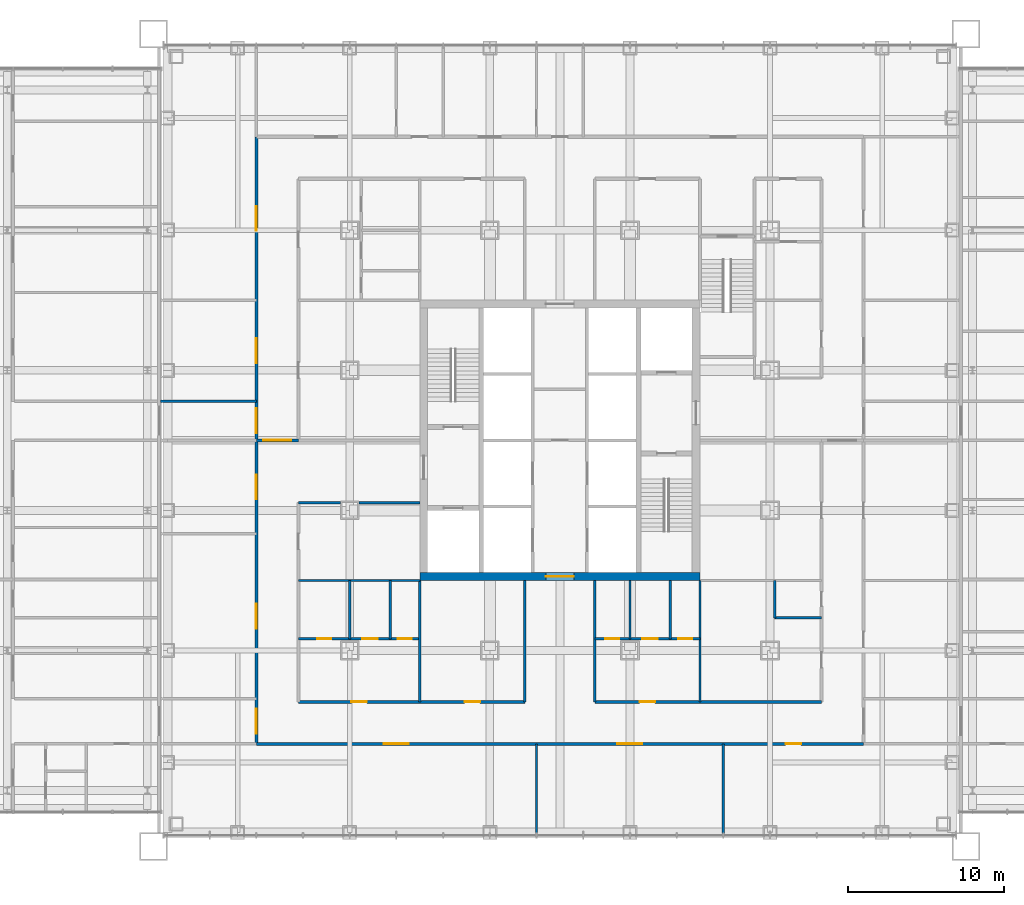
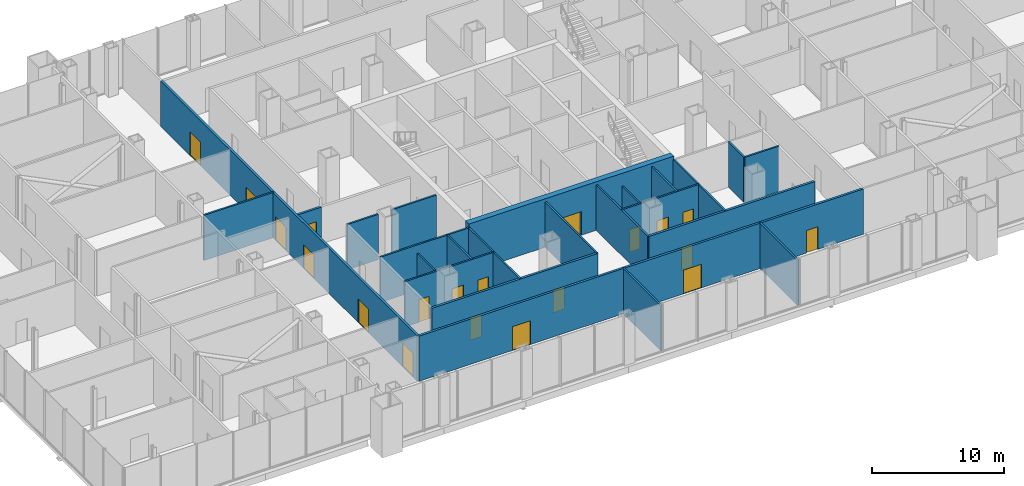
# One storey, part 16 of 25: 24 walls, 20 doors, 20 openings.
"""IFC4 building model written with IfcOpenShell, lengths in metres."""

from ifc_helpers import new_model, si_unit, direction, frame, frame_2d, origin, place, context, subcontext, project, spatial, rectangle, extrude, material, layer, layer_set, type_object, element, fill, save


model = new_model("IFC4")

# Units and contexts
model_context = context("Model", 3, precision=1e-05, world=origin(), true_north=direction((0.0, 1.0)))
body_context = subcontext(model_context, "Body", "Model", "MODEL_VIEW")
ifc_project = project(units=[si_unit("LENGTHUNIT", "METRE"), si_unit("AREAUNIT", "SQUARE_METRE"), si_unit("VOLUMEUNIT", "CUBIC_METRE"), si_unit("PLANEANGLEUNIT", "RADIAN"), si_unit("MASSUNIT", "GRAM", prefix="KILO")], contexts=[model_context])

# Site, building, storey
site_placement = place(None, origin())
site = spatial("IfcSite", under=ifc_project, at=site_placement, CompositionType="ELEMENT")
building_placement = place(site_placement, origin())
building = spatial("IfcBuilding", under=site, at=building_placement, Name="Malebo Sky Hospital", CompositionType="ELEMENT")
storey_placement = place(building_placement, frame((0.0, 0.0, 16.5)))
storey = spatial("IfcBuildingStorey", under=building, at=storey_placement, Name="L03", CompositionType="ELEMENT", Elevation=16.5)

# Wall, opening, door
ifc_material_1 = material(Name="Concrete C80/95", Category="concrete")
ifc_layer_1 = layer(ifc_material_1, 0.5)
ifc_layer_set_1 = layer_set([ifc_layer_1], Name="CORE WALL 500")
wall_type_1 = type_object("IfcWallType", Name="CORE WALL 500", PredefinedType="SHEAR", material=ifc_layer_set_1)
wall_1_placement = place(storey_placement, frame((51.0, 53.25, 0.0), z_axis=(0.0, 0.0, 1.0), x_axis=(1.0, 0.0, 0.0)))
wall_1 = element("IfcWall", 1, at=wall_1_placement, inside=storey, type_object=wall_type_1, Name="Core wall S L03", PredefinedType="SHEAR", context=body_context, shape_type="SweptSolid", body=[
    extrude(rectangle(XDim=18.0, YDim=0.5, at=frame_2d((9.0, 0.0))), origin(), (0.0, 0.0, 1.0), 4.5),
])
opening_1_placement = place(wall_1_placement, frame((8.10009765625, 0.0, 0.0)))
opening_1 = element("IfcOpeningElement", 2, at=opening_1_placement, cuts=wall_1, Name="Opening D06", PredefinedType="OPENING", context=body_context, shape_type="SweptSolid", body=[
    extrude(rectangle(XDim=1.800048828125, YDim=2.199951171875, at=frame_2d((0.89990234375, 1.10009765625))), frame((0.0, 0.260009765625, 0.0), z_axis=(0.0, -1.0, 0.0), x_axis=(1.0, 0.0, 0.0)), (0.0, 0.0, 1.0), 0.52001953125),
])
ifc_material_2 = material(Name="Hardwood-faced door leaf in steel frame", Category="steel")
door_type_1 = type_object("IfcDoorType", Name="LOBBY DOOR PAIR 1800", OperationType="DOUBLE_DOOR_SINGLE_SWING", PredefinedType="DOOR", material=ifc_material_2)
door_1_placement = place(opening_1_placement, origin())
door_1 = element("IfcDoor", 3, at=door_1_placement, inside=storey, type_object=door_type_1, Name="Lift lobby door south", OperationType="DOUBLE_DOOR_SINGLE_SWING", OverallHeight=2.199951171875, OverallWidth=1.800048828125, PredefinedType="DOOR", context=body_context, shape_type="SweptSolid", body=[
    extrude(rectangle(XDim=1.800048828125, YDim=2.199951171875, at=frame_2d((0.89990234375, 1.10009765625))), frame((0.0, 0.02490234375, 0.0), z_axis=(0.0, -1.0, 0.0), x_axis=(1.0, 0.0, 0.0)), (0.0, 0.0, 1.0), 0.050048828125),
])
fill(opening_1, door_1)

# Wall, openings, doors
ifc_material_3 = material(Name="Gypsum board on steel studs", Category="steel")
ifc_layer_2 = layer(ifc_material_3, 0.199951171875)
ifc_layer_set_2 = layer_set([ifc_layer_2], Name="CORRIDOR WALL 200")
wall_type_2 = type_object("IfcWallType", Name="CORRIDOR WALL 200", PredefinedType="PARTITIONING", material=ifc_layer_set_2)
wall_2_placement = place(storey_placement, frame((40.5, 42.5, 0.0), z_axis=(0.0, 0.0, 1.0), x_axis=(0.0, 1.0, 0.0)))
wall_2 = element("IfcWall", 4, at=wall_2_placement, inside=storey, type_object=wall_type_2, Name="Corridor Wall 200 WCO", PredefinedType="PARTITIONING", context=body_context, shape_type="SweptSolid", body=[
    extrude(rectangle(XDim=39.0, YDim=0.199951171875, at=frame_2d((19.5, 0.0))), origin(), (0.0, 0.0, 1.0), 4.199951171875),
])
opening_2_placement = place(wall_2_placement, frame((0.64990234375, 0.0, 0.0)))
opening_2 = element("IfcOpeningElement", 5, at=opening_2_placement, cuts=wall_2, Name="Opening D14", PredefinedType="OPENING", context=body_context, shape_type="SweptSolid", body=[
    extrude(rectangle(XDim=1.60009765625, YDim=2.199951171875, at=frame_2d((0.800048828125, 1.10009765625))), frame((0.0, 0.10986328125, 0.0), z_axis=(0.0, -1.0, 0.0), x_axis=(1.0, 0.0, 0.0)), (0.0, 0.0, 1.0), 0.219970703125),
])
opening_3_placement = place(wall_2_placement, frame((7.39990234375, 0.0, 0.0)))
opening_3 = element("IfcOpeningElement", 6, at=opening_3_placement, cuts=wall_2, Name="Opening D14", PredefinedType="OPENING", context=body_context, shape_type="SweptSolid", body=[
    extrude(rectangle(XDim=1.60009765625, YDim=2.199951171875, at=frame_2d((0.800048828125, 1.10009765625))), frame((0.0, 0.10986328125, 0.0), z_axis=(0.0, -1.0, 0.0), x_axis=(1.0, 0.0, 0.0)), (0.0, 0.0, 1.0), 0.219970703125),
])
opening_4_placement = place(wall_2_placement, frame((15.699951171875, 0.0, 0.0)))
opening_4 = element("IfcOpeningElement", 7, at=opening_4_placement, cuts=wall_2, Name="Opening D14", PredefinedType="OPENING", context=body_context, shape_type="SweptSolid", body=[
    extrude(rectangle(XDim=1.60009765625, YDim=2.199951171875, at=frame_2d((0.800048828125, 1.10009765625))), frame((0.0, 0.10986328125, 0.0), z_axis=(0.0, -1.0, 0.0), x_axis=(1.0, 0.0, 0.0)), (0.0, 0.0, 1.0), 0.219970703125),
])
opening_5_placement = place(wall_2_placement, frame((19.949951171875, 0.0, 0.0)))
opening_5 = element("IfcOpeningElement", 8, at=opening_5_placement, cuts=wall_2, Name="Opening D14", PredefinedType="OPENING", context=body_context, shape_type="SweptSolid", body=[
    extrude(rectangle(XDim=1.60009765625, YDim=2.199951171875, at=frame_2d((0.800048828125, 1.10009765625))), frame((0.0, 0.10986328125, 0.0), z_axis=(0.0, -1.0, 0.0), x_axis=(1.0, 0.0, 0.0)), (0.0, 0.0, 1.0), 0.219970703125),
])
opening_6_placement = place(wall_2_placement, frame((24.449951171875, 0.0, 0.0)))
opening_6 = element("IfcOpeningElement", 9, at=opening_6_placement, cuts=wall_2, Name="Opening D14", PredefinedType="OPENING", context=body_context, shape_type="SweptSolid", body=[
    extrude(rectangle(XDim=1.60009765625, YDim=2.199951171875, at=frame_2d((0.800048828125, 1.10009765625))), frame((0.0, 0.10986328125, 0.0), z_axis=(0.0, -1.0, 0.0), x_axis=(1.0, 0.0, 0.0)), (0.0, 0.0, 1.0), 0.219970703125),
])
opening_7_placement = place(wall_2_placement, frame((32.949951171875, 0.0, 0.0)))
opening_7 = element("IfcOpeningElement", 10, at=opening_7_placement, cuts=wall_2, Name="Opening D14", PredefinedType="OPENING", context=body_context, shape_type="SweptSolid", body=[
    extrude(rectangle(XDim=1.60009765625, YDim=2.199951171875, at=frame_2d((0.800048828125, 1.10009765625))), frame((0.0, 0.10986328125, 0.0), z_axis=(0.0, -1.0, 0.0), x_axis=(1.0, 0.0, 0.0)), (0.0, 0.0, 1.0), 0.219970703125),
])
door_type_2 = type_object("IfcDoorType", Name="DEPARTMENT DOOR PAIR 1600", OperationType="DOUBLE_DOOR_DOUBLE_SWING", PredefinedType="DOOR", material=ifc_material_2)
door_2_placement = place(opening_2_placement, origin())
door_2 = element("IfcDoor", 11, at=door_2_placement, inside=storey, type_object=door_type_2, Name="Link corridor door pair", OperationType="DOUBLE_DOOR_DOUBLE_SWING", OverallHeight=2.199951171875, OverallWidth=1.60009765625, PredefinedType="DOOR", context=body_context, shape_type="SweptSolid", body=[
    extrude(rectangle(XDim=1.60009765625, YDim=2.199951171875, at=frame_2d((0.800048828125, 1.10009765625))), frame((0.0, 0.02490234375, 0.0), z_axis=(0.0, -1.0, 0.0), x_axis=(1.0, 0.0, 0.0)), (0.0, 0.0, 1.0), 0.050048828125),
])
fill(opening_2, door_2)
door_3_placement = place(opening_3_placement, origin())
door_3 = element("IfcDoor", 12, at=door_3_placement, inside=storey, type_object=door_type_2, Name="Clean trolley store door", OperationType="DOUBLE_DOOR_DOUBLE_SWING", OverallHeight=2.199951171875, OverallWidth=1.60009765625, PredefinedType="DOOR", context=body_context, shape_type="SweptSolid", body=[
    extrude(rectangle(XDim=1.60009765625, YDim=2.199951171875, at=frame_2d((0.800048828125, 1.10009765625))), frame((0.0, 0.02490234375, 0.0), z_axis=(0.0, -1.0, 0.0), x_axis=(1.0, 0.0, 0.0)), (0.0, 0.0, 1.0), 0.050048828125),
])
fill(opening_3, door_3)
door_4_placement = place(opening_4_placement, origin())
door_4 = element("IfcDoor", 13, at=door_4_placement, inside=storey, type_object=door_type_2, Name="Sterile services reception door", OperationType="DOUBLE_DOOR_DOUBLE_SWING", OverallHeight=2.199951171875, OverallWidth=1.60009765625, PredefinedType="DOOR", context=body_context, shape_type="SweptSolid", body=[
    extrude(rectangle(XDim=1.60009765625, YDim=2.199951171875, at=frame_2d((0.800048828125, 1.10009765625))), frame((0.0, 0.02490234375, 0.0), z_axis=(0.0, -1.0, 0.0), x_axis=(1.0, 0.0, 0.0)), (0.0, 0.0, 1.0), 0.050048828125),
])
fill(opening_4, door_4)
door_5_placement = place(opening_5_placement, origin())
door_5 = element("IfcDoor", 14, at=door_5_placement, inside=storey, type_object=door_type_2, Name="Link corridor door pair", OperationType="DOUBLE_DOOR_DOUBLE_SWING", OverallHeight=2.199951171875, OverallWidth=1.60009765625, PredefinedType="DOOR", context=body_context, shape_type="SweptSolid", body=[
    extrude(rectangle(XDim=1.60009765625, YDim=2.199951171875, at=frame_2d((0.800048828125, 1.10009765625))), frame((0.0, 0.02490234375, 0.0), z_axis=(0.0, -1.0, 0.0), x_axis=(1.0, 0.0, 0.0)), (0.0, 0.0, 1.0), 0.050048828125),
])
fill(opening_5, door_5)
door_6_placement = place(opening_6_placement, origin())
door_6 = element("IfcDoor", 15, at=door_6_placement, inside=storey, type_object=door_type_2, Name="Endoscopy waiting area door", OperationType="DOUBLE_DOOR_DOUBLE_SWING", OverallHeight=2.199951171875, OverallWidth=1.60009765625, PredefinedType="DOOR", context=body_context, shape_type="SweptSolid", body=[
    extrude(rectangle(XDim=1.60009765625, YDim=2.199951171875, at=frame_2d((0.800048828125, 1.10009765625))), frame((0.0, 0.02490234375, 0.0), z_axis=(0.0, -1.0, 0.0), x_axis=(1.0, 0.0, 0.0)), (0.0, 0.0, 1.0), 0.050048828125),
])
fill(opening_6, door_6)
door_7_placement = place(opening_7_placement, origin())
door_7 = element("IfcDoor", 16, at=door_7_placement, inside=storey, type_object=door_type_2, Name="Endoscopy reception door", OperationType="DOUBLE_DOOR_DOUBLE_SWING", OverallHeight=2.199951171875, OverallWidth=1.60009765625, PredefinedType="DOOR", context=body_context, shape_type="SweptSolid", body=[
    extrude(rectangle(XDim=1.60009765625, YDim=2.199951171875, at=frame_2d((0.800048828125, 1.10009765625))), frame((0.0, 0.02490234375, 0.0), z_axis=(0.0, -1.0, 0.0), x_axis=(1.0, 0.0, 0.0)), (0.0, 0.0, 1.0), 0.050048828125),
])
fill(opening_7, door_7)

wall_3_placement = place(storey_placement, frame((79.5, 42.5, 0.0), z_axis=(0.0, 0.0, 1.0), x_axis=(-1.0, 0.0, 0.0)))
wall_3 = element("IfcWall", 17, at=wall_3_placement, inside=storey, type_object=wall_type_2, Name="Corridor Wall 200 SCO", PredefinedType="PARTITIONING", context=body_context, shape_type="SweptSolid", body=[
    extrude(rectangle(XDim=39.0, YDim=0.199951171875, at=frame_2d((19.5, 0.0))), origin(), (0.0, 0.0, 1.0), 4.199951171875),
])
opening_8_placement = place(wall_3_placement, frame((4.0, 0.0, 0.0)))
opening_8 = element("IfcOpeningElement", 18, at=opening_8_placement, cuts=wall_3, Name="Opening D03", PredefinedType="OPENING", context=body_context, shape_type="SweptSolid", body=[
    extrude(rectangle(XDim=1.0, YDim=2.10009765625, at=frame_2d((0.5, 1.050048828125))), frame((0.0, 0.10986328125, 0.0), z_axis=(0.0, -1.0, 0.0), x_axis=(1.0, 0.0, 0.0)), (0.0, 0.0, 1.0), 0.219970703125),
])
opening_9_placement = place(wall_3_placement, frame((14.199951171875, 0.0, 0.0)))
opening_9 = element("IfcOpeningElement", 19, at=opening_9_placement, cuts=wall_3, Name="Opening D14", PredefinedType="OPENING", context=body_context, shape_type="SweptSolid", body=[
    extrude(rectangle(XDim=1.60009765625, YDim=2.199951171875, at=frame_2d((0.800048828125, 1.10009765625))), frame((0.0, 0.10986328125, 0.0), z_axis=(0.0, -1.0, 0.0), x_axis=(1.0, 0.0, 0.0)), (0.0, 0.0, 1.0), 0.219970703125),
])
opening_10_placement = place(wall_3_placement, frame((29.199951171875, 0.0, 0.0)))
opening_10 = element("IfcOpeningElement", 20, at=opening_10_placement, cuts=wall_3, Name="Opening D14", PredefinedType="OPENING", context=body_context, shape_type="SweptSolid", body=[
    extrude(rectangle(XDim=1.60009765625, YDim=2.199951171875, at=frame_2d((0.800048828125, 1.10009765625))), frame((0.0, 0.10986328125, 0.0), z_axis=(0.0, -1.0, 0.0), x_axis=(1.0, 0.0, 0.0)), (0.0, 0.0, 1.0), 0.219970703125),
])
door_8_placement = place(opening_9_placement, origin())
door_8 = element("IfcDoor", 21, at=door_8_placement, inside=storey, type_object=door_type_2, Name="Endoscopy recovery door", OperationType="DOUBLE_DOOR_DOUBLE_SWING", OverallHeight=2.199951171875, OverallWidth=1.60009765625, PredefinedType="DOOR", context=body_context, shape_type="SweptSolid", body=[
    extrude(rectangle(XDim=1.60009765625, YDim=2.199951171875, at=frame_2d((0.800048828125, 1.10009765625))), frame((0.0, 0.02490234375, 0.0), z_axis=(0.0, -1.0, 0.0), x_axis=(1.0, 0.0, 0.0)), (0.0, 0.0, 1.0), 0.050048828125),
])
fill(opening_9, door_8)
door_9_placement = place(opening_10_placement, origin())
door_9 = element("IfcDoor", 22, at=door_9_placement, inside=storey, type_object=door_type_2, Name="Endoscopy discharge lounge door", OperationType="DOUBLE_DOOR_DOUBLE_SWING", OverallHeight=2.199951171875, OverallWidth=1.60009765625, PredefinedType="DOOR", context=body_context, shape_type="SweptSolid", body=[
    extrude(rectangle(XDim=1.60009765625, YDim=2.199951171875, at=frame_2d((0.800048828125, 1.10009765625))), frame((0.0, 0.02490234375, 0.0), z_axis=(0.0, -1.0, 0.0), x_axis=(1.0, 0.0, 0.0)), (0.0, 0.0, 1.0), 0.050048828125),
])
fill(opening_10, door_9)
door_type_3 = type_object("IfcDoorType", Name="ROOM DOOR 1000", OperationType="SINGLE_SWING_LEFT", PredefinedType="DOOR", material=ifc_material_2)
door_10_placement = place(opening_8_placement, origin())
door_10 = element("IfcDoor", 23, at=door_10_placement, inside=storey, type_object=door_type_3, Name="Endoscopy admission room door", OperationType="SINGLE_SWING_LEFT", OverallHeight=2.10009765625, OverallWidth=1.0, PredefinedType="DOOR", context=body_context, shape_type="SweptSolid", body=[
    extrude(rectangle(XDim=1.0, YDim=2.10009765625, at=frame_2d((0.5, 1.050048828125))), frame((0.0, 0.02490234375, 0.0), z_axis=(0.0, -1.0, 0.0), x_axis=(1.0, 0.0, 0.0)), (0.0, 0.0, 1.0), 0.050048828125),
])
fill(opening_8, door_10)

# Wall, opening, door
wall_4_placement = place(storey_placement, frame((76.800048828125, 45.199951171875, 0.0), z_axis=(0.0, 0.0, 1.0), x_axis=(-1.0, 0.0, 0.0)))
wall_4 = element("IfcWall", 24, at=wall_4_placement, inside=storey, type_object=wall_type_2, Name="Corridor Wall 200 SCI1", PredefinedType="PARTITIONING", context=body_context, shape_type="SweptSolid", body=[
    extrude(rectangle(XDim=14.550048828125, YDim=0.199951171875, at=frame_2d((7.27490234375, 0.0))), origin(), (0.0, 0.0, 1.0), 4.199951171875),
])
opening_11_placement = place(wall_4_placement, frame((10.675048828125, 0.0, 0.0)))
opening_11 = element("IfcOpeningElement", 25, at=opening_11_placement, cuts=wall_4, Name="Opening D03", PredefinedType="OPENING", context=body_context, shape_type="SweptSolid", body=[
    extrude(rectangle(XDim=1.0, YDim=2.10009765625, at=frame_2d((0.5, 1.050048828125))), frame((0.0, 0.10986328125, 0.0), z_axis=(0.0, -1.0, 0.0), x_axis=(1.0, 0.0, 0.0)), (0.0, 0.0, 1.0), 0.219970703125),
])
door_11_placement = place(opening_11_placement, origin())
door_11 = element("IfcDoor", 26, at=door_11_placement, inside=storey, type_object=door_type_3, Name="Patient WC vestibule door", OperationType="SINGLE_SWING_LEFT", OverallHeight=2.10009765625, OverallWidth=1.0, PredefinedType="DOOR", context=body_context, shape_type="SweptSolid", body=[
    extrude(rectangle(XDim=1.0, YDim=2.10009765625, at=frame_2d((0.5, 1.050048828125))), frame((0.0, 0.02490234375, 0.0), z_axis=(0.0, -1.0, 0.0), x_axis=(1.0, 0.0, 0.0)), (0.0, 0.0, 1.0), 0.050048828125),
])
fill(opening_11, door_11)

# Wall, openings, doors
wall_5_placement = place(storey_placement, frame((57.75, 45.199951171875, 0.0), z_axis=(0.0, 0.0, 1.0), x_axis=(-1.0, 0.0, 0.0)))
wall_5 = element("IfcWall", 27, at=wall_5_placement, inside=storey, type_object=wall_type_2, Name="Corridor Wall 200 SCI2", PredefinedType="PARTITIONING", context=body_context, shape_type="SweptSolid", body=[
    extrude(rectangle(XDim=14.550048828125, YDim=0.199951171875, at=frame_2d((7.27490234375, 0.0))), origin(), (0.0, 0.0, 1.0), 4.199951171875),
])
opening_12_placement = place(wall_5_placement, frame((2.875, 0.0, 0.0)))
opening_12 = element("IfcOpeningElement", 28, at=opening_12_placement, cuts=wall_5, Name="Opening D03", PredefinedType="OPENING", context=body_context, shape_type="SweptSolid", body=[
    extrude(rectangle(XDim=1.0, YDim=2.10009765625, at=frame_2d((0.5, 1.050048828125))), frame((0.0, 0.10986328125, 0.0), z_axis=(0.0, -1.0, 0.0), x_axis=(1.0, 0.0, 0.0)), (0.0, 0.0, 1.0), 0.219970703125),
])
opening_13_placement = place(wall_5_placement, frame((10.14990234375, 0.0, 0.0)))
opening_13 = element("IfcOpeningElement", 29, at=opening_13_placement, cuts=wall_5, Name="Opening D03", PredefinedType="OPENING", context=body_context, shape_type="SweptSolid", body=[
    extrude(rectangle(XDim=1.0, YDim=2.10009765625, at=frame_2d((0.5, 1.050048828125))), frame((0.0, 0.10986328125, 0.0), z_axis=(0.0, -1.0, 0.0), x_axis=(1.0, 0.0, 0.0)), (0.0, 0.0, 1.0), 0.219970703125),
])
door_12_placement = place(opening_12_placement, origin())
door_12 = element("IfcDoor", 30, at=door_12_placement, inside=storey, type_object=door_type_3, Name="Medication room door", OperationType="SINGLE_SWING_LEFT", OverallHeight=2.10009765625, OverallWidth=1.0, PredefinedType="DOOR", context=body_context, shape_type="SweptSolid", body=[
    extrude(rectangle(XDim=1.0, YDim=2.10009765625, at=frame_2d((0.5, 1.050048828125))), frame((0.0, 0.02490234375, 0.0), z_axis=(0.0, -1.0, 0.0), x_axis=(1.0, 0.0, 0.0)), (0.0, 0.0, 1.0), 0.050048828125),
])
fill(opening_12, door_12)
door_13_placement = place(opening_13_placement, origin())
door_13 = element("IfcDoor", 31, at=door_13_placement, inside=storey, type_object=door_type_3, Name="Patient WC vestibule door", OperationType="SINGLE_SWING_RIGHT", OverallHeight=2.10009765625, OverallWidth=1.0, PredefinedType="DOOR", context=body_context, shape_type="SweptSolid", body=[
    extrude(rectangle(XDim=1.0, YDim=2.10009765625, at=frame_2d((0.5, 1.050048828125))), frame((0.0, 0.02490234375, 0.0), z_axis=(0.0, -1.0, 0.0), x_axis=(1.0, 0.0, 0.0)), (0.0, 0.0, 1.0), 0.050048828125),
])
fill(opening_13, door_13)

# Walls
ifc_layer_3 = layer(ifc_material_3, 0.14990234375)
ifc_layer_set_3 = layer_set([ifc_layer_3], Name="PARTITION 150")
wall_type_3 = type_object("IfcWallType", Name="PARTITION 150", PredefinedType="PARTITIONING", material=ifc_layer_set_3)
wall_6_placement = place(storey_placement, frame((40.5, 64.5, 0.0), z_axis=(0.0, 0.0, 1.0), x_axis=(-1.0, 0.0, 0.0)))
element("IfcWall", 32, at=wall_6_placement, inside=storey, type_object=wall_type_3, Name="Partition 150 WP+2.5", PredefinedType="PARTITIONING", context=body_context, shape_type="SweptSolid", body=[
    extrude(rectangle(XDim=6.14990234375, YDim=0.14990234375, at=frame_2d((3.074951171875, 0.0))), origin(), (0.0, 0.0, 1.0), 4.199951171875),
])
wall_7_placement = place(storey_placement, frame((51.0, 53.0, 0.0), z_axis=(0.0, 0.0, 1.0), x_axis=(-1.0, 0.0, 0.0)))
element("IfcWall", 33, at=wall_7_placement, inside=storey, type_object=wall_type_3, Name="Partition 150 WSPM", PredefinedType="PARTITIONING", context=body_context, shape_type="SweptSolid", body=[
    extrude(rectangle(XDim=7.800048828125, YDim=0.14990234375, at=frame_2d((3.89990234375, 0.0))), origin(), (0.0, 0.0, 1.0), 4.199951171875),
])
wall_8_placement = place(storey_placement, frame((51.0, 58.0, 0.0), z_axis=(0.0, 0.0, 1.0), x_axis=(-1.0, 0.0, 0.0)))
element("IfcWall", 34, at=wall_8_placement, inside=storey, type_object=wall_type_3, Name="Partition 150 WSPA", PredefinedType="PARTITIONING", context=body_context, shape_type="SweptSolid", body=[
    extrude(rectangle(XDim=3.89990234375, YDim=0.14990234375, at=frame_2d((1.949951171875, 0.0))), origin(), (0.0, 0.0, 1.0), 4.199951171875),
])
wall_9_placement = place(storey_placement, frame((45.89990234375, 58.0, 0.0), z_axis=(0.0, 0.0, 1.0), x_axis=(-1.0, 0.0, 0.0)))
element("IfcWall", 35, at=wall_9_placement, inside=storey, type_object=wall_type_3, Name="Partition 150 WSPA", PredefinedType="PARTITIONING", context=body_context, shape_type="SweptSolid", body=[
    extrude(rectangle(XDim=2.699951171875, YDim=0.14990234375, at=frame_2d((1.35009765625, 0.0))), origin(), (0.0, 0.0, 1.0), 4.199951171875),
])
for number, where, z_axis, x_axis, name in (
    (36, (70.5, 42.5, 0.0), (0.0, 0.0, 1.0), (0.0, -1.0, 0.0), "Partition 150 SP-10.5"),
    (37, (58.5, 42.5, 0.0), (0.0, 0.0, 1.0), (0.0, -1.0, 0.0), "Partition 150 SP+1.5"),
):
    element("IfcWall", number, at=place(storey_placement, frame(where, z_axis=z_axis, x_axis=x_axis)), inside=storey, type_object=wall_type_3, Name=name, PredefinedType="PARTITIONING", context=body_context, shape_type="SweptSolid", body=[
        extrude(rectangle(XDim=5.75, YDim=0.14990234375, at=frame_2d((2.875, 0.0))), origin(), (0.0, 0.0, 1.0), 4.199951171875),
    ])
for number, where, z_axis, x_axis, name in (
    (38, (69.0, 53.0, 0.0), (0.0, 0.0, 1.0), (0.0, -1.0, 0.0), "Partition 150 SSPM"),
    (39, (62.25, 53.0, 0.0), (0.0, 0.0, 1.0), (0.0, -1.0, 0.0), "Partition 150 SSPA"),
    (40, (57.75, 53.0, 0.0), (0.0, 0.0, 1.0), (0.0, -1.0, 0.0), "Partition 150 SSPB"),
    (41, (51.0, 53.0, 0.0), (0.0, 0.0, 1.0), (0.0, -1.0, 0.0), "Partition 150 SSP9"),
):
    element("IfcWall", number, at=place(storey_placement, frame(where, z_axis=z_axis, x_axis=x_axis)), inside=storey, type_object=wall_type_3, Name=name, PredefinedType="PARTITIONING", context=body_context, shape_type="SweptSolid", body=[
        extrude(rectangle(XDim=7.800048828125, YDim=0.14990234375, at=frame_2d((3.89990234375, 0.0))), origin(), (0.0, 0.0, 1.0), 4.199951171875),
    ])

# Wall, openings, doors
wall_10_placement = place(storey_placement, frame((69.0, 49.25, 0.0), z_axis=(0.0, 0.0, 1.0), x_axis=(-1.0, 0.0, 0.0)))
wall_10 = element("IfcWall", 42, at=wall_10_placement, inside=storey, type_object=wall_type_3, Name="Partition 150 SS0F", PredefinedType="PARTITIONING", context=body_context, shape_type="SweptSolid", body=[
    extrude(rectangle(XDim=6.75, YDim=0.14990234375, at=frame_2d((3.375, 0.0))), origin(), (0.0, 0.0, 1.0), 4.199951171875),
])
opening_14_placement = place(wall_10_placement, frame((0.5, 0.0, 0.0)))
opening_14 = element("IfcOpeningElement", 43, at=opening_14_placement, cuts=wall_10, Name="Opening D04", PredefinedType="OPENING", context=body_context, shape_type="SweptSolid", body=[
    extrude(rectangle(XDim=0.89990234375, YDim=2.10009765625, at=frame_2d((0.449951171875, 1.050048828125))), frame((0.0, 0.0849609375, 0.0), z_axis=(0.0, -1.0, 0.0), x_axis=(1.0, 0.0, 0.0)), (0.0, 0.0, 1.0), 0.169921875),
])
opening_15_placement = place(wall_10_placement, frame((2.699951171875, 0.0, 0.0)))
opening_15 = element("IfcOpeningElement", 44, at=opening_15_placement, cuts=wall_10, Name="Opening D03", PredefinedType="OPENING", context=body_context, shape_type="SweptSolid", body=[
    extrude(rectangle(XDim=1.0, YDim=2.10009765625, at=frame_2d((0.5, 1.050048828125))), frame((0.0, 0.0849609375, 0.0), z_axis=(0.0, -1.0, 0.0), x_axis=(1.0, 0.0, 0.0)), (0.0, 0.0, 1.0), 0.169921875),
])
opening_16_placement = place(wall_10_placement, frame((5.175048828125, 0.0, 0.0)))
opening_16 = element("IfcOpeningElement", 45, at=opening_16_placement, cuts=wall_10, Name="Opening D04", PredefinedType="OPENING", context=body_context, shape_type="SweptSolid", body=[
    extrude(rectangle(XDim=0.89990234375, YDim=2.10009765625, at=frame_2d((0.449951171875, 1.050048828125))), frame((0.0, 0.0849609375, 0.0), z_axis=(0.0, -1.0, 0.0), x_axis=(1.0, 0.0, 0.0)), (0.0, 0.0, 1.0), 0.169921875),
])
door_14_placement = place(opening_15_placement, origin())
door_14 = element("IfcDoor", 46, at=door_14_placement, inside=storey, type_object=door_type_3, Name="Accessible WC door", OperationType="SINGLE_SWING_LEFT", OverallHeight=2.10009765625, OverallWidth=1.0, PredefinedType="DOOR", context=body_context, shape_type="SweptSolid", body=[
    extrude(rectangle(XDim=1.0, YDim=2.10009765625, at=frame_2d((0.5, 1.050048828125))), frame((0.0, 0.02490234375, 0.0), z_axis=(0.0, -1.0, 0.0), x_axis=(1.0, 0.0, 0.0)), (0.0, 0.0, 1.0), 0.050048828125),
])
fill(opening_15, door_14)
door_type_4 = type_object("IfcDoorType", Name="ROOM DOOR 900", OperationType="SINGLE_SWING_LEFT", PredefinedType="DOOR", material=ifc_material_2)
door_15_placement = place(opening_14_placement, origin())
door_15 = element("IfcDoor", 47, at=door_15_placement, inside=storey, type_object=door_type_4, Name="Patient WC door", OperationType="SINGLE_SWING_LEFT", OverallHeight=2.10009765625, OverallWidth=0.89990234375, PredefinedType="DOOR", context=body_context, shape_type="SweptSolid", body=[
    extrude(rectangle(XDim=0.89990234375, YDim=2.10009765625, at=frame_2d((0.449951171875, 1.050048828125))), frame((0.0, 0.02490234375, 0.0), z_axis=(0.0, -1.0, 0.0), x_axis=(1.0, 0.0, 0.0)), (0.0, 0.0, 1.0), 0.050048828125),
])
fill(opening_14, door_15)
door_16_placement = place(opening_16_placement, origin())
door_16 = element("IfcDoor", 48, at=door_16_placement, inside=storey, type_object=door_type_4, Name="Patient WC door", OperationType="SINGLE_SWING_LEFT", OverallHeight=2.10009765625, OverallWidth=0.89990234375, PredefinedType="DOOR", context=body_context, shape_type="SweptSolid", body=[
    extrude(rectangle(XDim=0.89990234375, YDim=2.10009765625, at=frame_2d((0.449951171875, 1.050048828125))), frame((0.0, 0.02490234375, 0.0), z_axis=(0.0, -1.0, 0.0), x_axis=(1.0, 0.0, 0.0)), (0.0, 0.0, 1.0), 0.050048828125),
])
fill(opening_16, door_16)

# Walls
wall_11_placement = place(storey_placement, frame((67.10009765625, 53.0, 0.0), z_axis=(0.0, 0.0, 1.0), x_axis=(0.0, -1.0, 0.0)))
element("IfcWall", 49, at=wall_11_placement, inside=storey, type_object=wall_type_3, Name="Partition 150 SS0W1", PredefinedType="PARTITIONING", context=body_context, shape_type="SweptSolid", body=[
    extrude(rectangle(XDim=3.75, YDim=0.14990234375, at=frame_2d((1.875, 0.0))), origin(), (0.0, 0.0, 1.0), 4.199951171875),
])
wall_12_placement = place(storey_placement, frame((64.5, 53.0, 0.0), z_axis=(0.0, 0.0, 1.0), x_axis=(0.0, -1.0, 0.0)))
element("IfcWall", 50, at=wall_12_placement, inside=storey, type_object=wall_type_3, Name="Partition 150 SS0W2", PredefinedType="PARTITIONING", context=body_context, shape_type="SweptSolid", body=[
    extrude(rectangle(XDim=3.75, YDim=0.14990234375, at=frame_2d((1.875, 0.0))), origin(), (0.0, 0.0, 1.0), 3.300048828125),
])

# Wall, openings, doors
wall_13_placement = place(storey_placement, frame((51.0, 49.25, 0.0), z_axis=(0.0, 0.0, 1.0), x_axis=(-1.0, 0.0, 0.0)))
wall_13 = element("IfcWall", 51, at=wall_13_placement, inside=storey, type_object=wall_type_3, Name="Partition 150 SS2F", PredefinedType="PARTITIONING", context=body_context, shape_type="SweptSolid", body=[
    extrude(rectangle(XDim=7.800048828125, YDim=0.14990234375, at=frame_2d((3.89990234375, 0.0))), origin(), (0.0, 0.0, 1.0), 4.199951171875),
])
opening_17_placement = place(wall_13_placement, frame((0.5, 0.0, 0.0)))
opening_17 = element("IfcOpeningElement", 52, at=opening_17_placement, cuts=wall_13, Name="Opening D04", PredefinedType="OPENING", context=body_context, shape_type="SweptSolid", body=[
    extrude(rectangle(XDim=0.89990234375, YDim=2.10009765625, at=frame_2d((0.449951171875, 1.050048828125))), frame((0.0, 0.0849609375, 0.0), z_axis=(0.0, -1.0, 0.0), x_axis=(1.0, 0.0, 0.0)), (0.0, 0.0, 1.0), 0.169921875),
])
opening_18_placement = place(wall_13_placement, frame((2.699951171875, 0.0, 0.0)))
opening_18 = element("IfcOpeningElement", 53, at=opening_18_placement, cuts=wall_13, Name="Opening D03", PredefinedType="OPENING", context=body_context, shape_type="SweptSolid", body=[
    extrude(rectangle(XDim=1.0, YDim=2.10009765625, at=frame_2d((0.5, 1.050048828125))), frame((0.0, 0.0849609375, 0.0), z_axis=(0.0, -1.0, 0.0), x_axis=(1.0, 0.0, 0.0)), (0.0, 0.0, 1.0), 0.169921875),
])
opening_19_placement = place(wall_13_placement, frame((5.699951171875, 0.0, 0.0)))
opening_19 = element("IfcOpeningElement", 54, at=opening_19_placement, cuts=wall_13, Name="Opening D04", PredefinedType="OPENING", context=body_context, shape_type="SweptSolid", body=[
    extrude(rectangle(XDim=0.89990234375, YDim=2.10009765625, at=frame_2d((0.449951171875, 1.050048828125))), frame((0.0, 0.0849609375, 0.0), z_axis=(0.0, -1.0, 0.0), x_axis=(1.0, 0.0, 0.0)), (0.0, 0.0, 1.0), 0.169921875),
])
door_17_placement = place(opening_18_placement, origin())
door_17 = element("IfcDoor", 55, at=door_17_placement, inside=storey, type_object=door_type_3, Name="Accessible WC door", OperationType="SINGLE_SWING_LEFT", OverallHeight=2.10009765625, OverallWidth=1.0, PredefinedType="DOOR", context=body_context, shape_type="SweptSolid", body=[
    extrude(rectangle(XDim=1.0, YDim=2.10009765625, at=frame_2d((0.5, 1.050048828125))), frame((0.0, 0.02490234375, 0.0), z_axis=(0.0, -1.0, 0.0), x_axis=(1.0, 0.0, 0.0)), (0.0, 0.0, 1.0), 0.050048828125),
])
fill(opening_18, door_17)
door_18_placement = place(opening_17_placement, origin())
door_18 = element("IfcDoor", 56, at=door_18_placement, inside=storey, type_object=door_type_4, Name="Patient WC door", OperationType="SINGLE_SWING_LEFT", OverallHeight=2.10009765625, OverallWidth=0.89990234375, PredefinedType="DOOR", context=body_context, shape_type="SweptSolid", body=[
    extrude(rectangle(XDim=0.89990234375, YDim=2.10009765625, at=frame_2d((0.449951171875, 1.050048828125))), frame((0.0, 0.02490234375, 0.0), z_axis=(0.0, -1.0, 0.0), x_axis=(1.0, 0.0, 0.0)), (0.0, 0.0, 1.0), 0.050048828125),
])
fill(opening_17, door_18)
door_19_placement = place(opening_19_placement, origin())
door_19 = element("IfcDoor", 57, at=door_19_placement, inside=storey, type_object=door_type_4, Name="Patient WC door", OperationType="SINGLE_SWING_RIGHT", OverallHeight=2.10009765625, OverallWidth=0.89990234375, PredefinedType="DOOR", context=body_context, shape_type="SweptSolid", body=[
    extrude(rectangle(XDim=0.89990234375, YDim=2.10009765625, at=frame_2d((0.449951171875, 1.050048828125))), frame((0.0, 0.02490234375, 0.0), z_axis=(0.0, -1.0, 0.0), x_axis=(1.0, 0.0, 0.0)), (0.0, 0.0, 1.0), 0.050048828125),
])
fill(opening_19, door_19)

# Walls
wall_14_placement = place(storey_placement, frame((49.10009765625, 53.0, 0.0), z_axis=(0.0, 0.0, 1.0), x_axis=(0.0, -1.0, 0.0)))
element("IfcWall", 58, at=wall_14_placement, inside=storey, type_object=wall_type_3, Name="Partition 150 SS2W1", PredefinedType="PARTITIONING", context=body_context, shape_type="SweptSolid", body=[
    extrude(rectangle(XDim=3.75, YDim=0.14990234375, at=frame_2d((1.875, 0.0))), origin(), (0.0, 0.0, 1.0), 4.199951171875),
])
wall_15_placement = place(storey_placement, frame((46.5, 53.0, 0.0), z_axis=(0.0, 0.0, 1.0), x_axis=(0.0, -1.0, 0.0)))
element("IfcWall", 59, at=wall_15_placement, inside=storey, type_object=wall_type_3, Name="Partition 150 SS2W2", PredefinedType="PARTITIONING", context=body_context, shape_type="SweptSolid", body=[
    extrude(rectangle(XDim=3.75, YDim=0.14990234375, at=frame_2d((1.875, 0.0))), origin(), (0.0, 0.0, 1.0), 3.39990234375),
])
wall_16_placement = place(storey_placement, frame((73.800048828125, 50.60009765625, 0.0), z_axis=(0.0, 0.0, 1.0), x_axis=(1.0, 0.0, 0.0)))
element("IfcWall", 60, at=wall_16_placement, inside=storey, type_object=wall_type_3, Name="Partition 150 ES2K1", PredefinedType="PARTITIONING", context=body_context, shape_type="SweptSolid", body=[
    extrude(rectangle(XDim=3.0, YDim=0.14990234375, at=frame_2d((1.5, 0.0))), origin(), (0.0, 0.0, 1.0), 4.199951171875),
])
wall_17_placement = place(storey_placement, frame((73.800048828125, 53.0, 0.0), z_axis=(0.0, 0.0, 1.0), x_axis=(0.0, -1.0, 0.0)))
element("IfcWall", 61, at=wall_17_placement, inside=storey, type_object=wall_type_3, Name="Partition 150 ES2K2", PredefinedType="PARTITIONING", context=body_context, shape_type="SweptSolid", body=[
    extrude(rectangle(XDim=2.39990234375, YDim=0.14990234375, at=frame_2d((1.199951171875, 0.0))), origin(), (0.0, 0.0, 1.0), 4.199951171875),
])

# Wall, opening, door
ifc_material_4 = material(Name="Concrete blockwork", Category="masonry")
ifc_layer_4 = layer(ifc_material_4, 0.199951171875)
ifc_layer_set_4 = layer_set([ifc_layer_4], Name="SMOKE BARRIER WALL 200")
wall_type_4 = type_object("IfcWallType", Name="SMOKE BARRIER WALL 200", PredefinedType="SOLIDWALL", material=ifc_layer_set_4)
wall_18_placement = place(storey_placement, frame((43.199951171875, 62.0, 0.0), z_axis=(0.0, 0.0, 1.0), x_axis=(-1.0, 0.0, 0.0)))
wall_18 = element("IfcWall", 62, at=wall_18_placement, inside=storey, type_object=wall_type_4, Name="Smoke Barrier Wall 200 WSB", PredefinedType="SOLIDWALL", context=body_context, shape_type="SweptSolid", body=[
    extrude(rectangle(XDim=2.699951171875, YDim=0.199951171875, at=frame_2d((1.35009765625, 0.0))), origin(), (0.0, 0.0, 1.0), 3.39990234375),
])
opening_20_placement = place(wall_18_placement, frame((0.449951171875, 0.0, 0.0)))
opening_20 = element("IfcOpeningElement", 63, at=opening_20_placement, cuts=wall_18, Name="Opening D05", PredefinedType="OPENING", context=body_context, shape_type="SweptSolid", body=[
    extrude(rectangle(XDim=1.800048828125, YDim=2.199951171875, at=frame_2d((0.89990234375, 1.10009765625))), frame((0.0, 0.10986328125, 0.0), z_axis=(0.0, -1.0, 0.0), x_axis=(1.0, 0.0, 0.0)), (0.0, 0.0, 1.0), 0.219970703125),
])
door_type_5 = type_object("IfcDoorType", Name="SMOKE DOOR PAIR 1800", OperationType="DOUBLE_DOOR_DOUBLE_SWING", PredefinedType="DOOR", material=ifc_material_2)
door_20_placement = place(opening_20_placement, origin())
door_20 = element("IfcDoor", 64, at=door_20_placement, inside=storey, type_object=door_type_5, Name="Smoke compartment door pair", OperationType="DOUBLE_DOOR_DOUBLE_SWING", OverallHeight=2.199951171875, OverallWidth=1.800048828125, PredefinedType="DOOR", context=body_context, shape_type="SweptSolid", body=[
    extrude(rectangle(XDim=1.800048828125, YDim=2.199951171875, at=frame_2d((0.89990234375, 1.10009765625))), frame((0.0, 0.02490234375, 0.0), z_axis=(0.0, -1.0, 0.0), x_axis=(1.0, 0.0, 0.0)), (0.0, 0.0, 1.0), 0.050048828125),
])
fill(opening_20, door_20)

save(model, "model.ifc")
